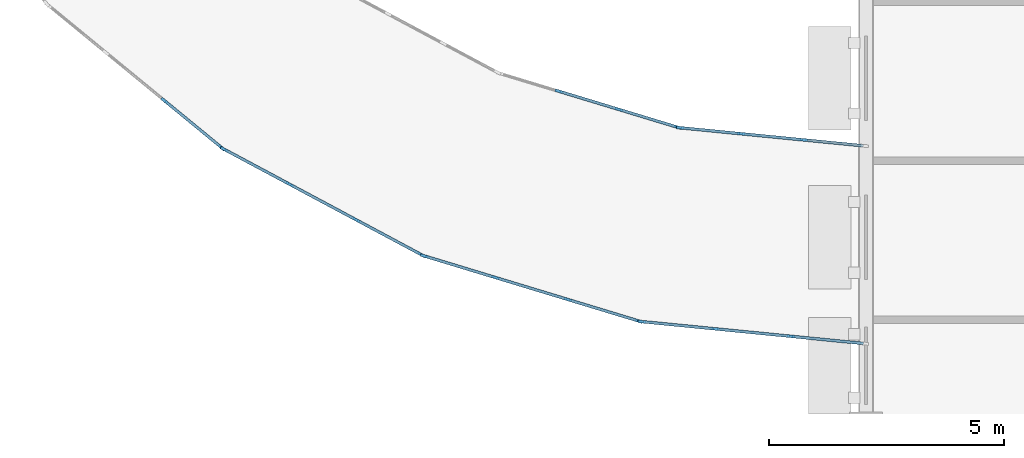
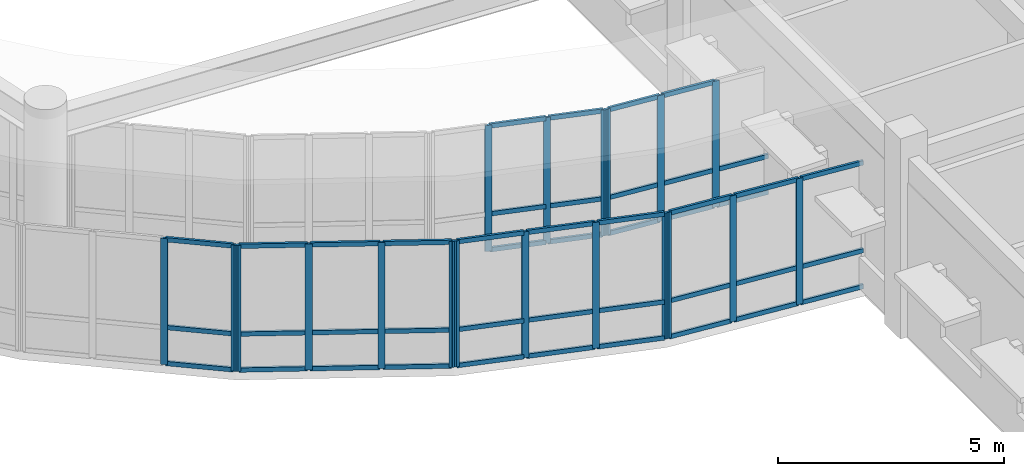
# One storey, part 29 of 68: 63 members, 6 elements without a shape of their own.
"""IFC4 building model written with IfcOpenShell, lengths in metres."""

from ifc_helpers import new_model, si_unit, direction, frame, origin, origin_2d, place, context, subcontext, project, spatial, rectangle, extrude, material, material_profile, profile_set, type_object, element, aggregate, save


model = new_model("IFC4")

# Units and contexts
model_context = context("Model", 3, precision=1e-05, world=origin(), true_north=direction((0.0, 1.0)))
body_context = subcontext(model_context, "Body", "Model", "MODEL_VIEW")
ifc_project = project(units=[si_unit("LENGTHUNIT", "METRE"), si_unit("AREAUNIT", "SQUARE_METRE"), si_unit("VOLUMEUNIT", "CUBIC_METRE"), si_unit("PLANEANGLEUNIT", "RADIAN"), si_unit("MASSUNIT", "GRAM", prefix="KILO")], contexts=[model_context])

# Site, building, storey
site_placement = place(None, origin())
site = spatial("IfcSite", under=ifc_project, at=site_placement, CompositionType="ELEMENT")
building_placement = place(site_placement, origin())
building = spatial("IfcBuilding", under=site, at=building_placement, Name="Veldera Park Congress Hotel", CompositionType="ELEMENT")
storey_placement = place(building_placement, frame((0.0, 0.0, 10.800048828125)))
storey = spatial("IfcBuildingStorey", under=building, at=storey_placement, Name="L02", CompositionType="ELEMENT", Elevation=10.800048828125)

# Curtain wall, members
ifc_material_1 = material(Name="Low-E Triple Insulating Glass Unit (SHGC 0.22)", Category="glass")
curtain_wall_type = type_object("IfcCurtainWallType", Name="CW-BRG", PredefinedType="NOTDEFINED", material=ifc_material_1)
curtain_wall_1_placement = place(storey_placement, origin())
curtain_wall_1 = element("IfcCurtainWall", 1, at=curtain_wall_1_placement, inside=storey, type_object=curtain_wall_type, Name="L02 Curtain Wall CW3-BRGE-L02-A04", PredefinedType="NOTDEFINED")
ifc_material_2 = material(Name="Anodised Aluminium Alloy 6063-T6", Category="aluminium")
ifc_material_profile_1 = material_profile(ifc_material_2, rectangle(XDim=0.06005859375, YDim=0.159912109375, at=origin_2d()), Name="ALU 60x160")
ifc_profile_set_1 = profile_set([ifc_material_profile_1], Name="Anodised Aluminium Alloy 6063-T6")
member_type_1 = type_object("IfcMemberType", Name="CWM-160", PredefinedType="MULLION", material=ifc_profile_set_1)
member_1_placement = place(storey_placement, frame((45.890380859375, -2.034423828125, 0.0), z_axis=(0.0, 0.0, 1.0), x_axis=(0.634402404183, 0.773002968666, 0.0)))
member_1 = element("IfcMember", 2, at=member_1_placement, type_object=member_type_1, Name="CW-BRG mullion 3", PredefinedType="MULLION", context=body_context, shape_type="SweptSolid", body=[
    extrude(rectangle(XDim=0.06005859375, YDim=0.159912109375, at=origin_2d()), origin(), (0.0, 0.0, 1.0), 3.39990234375),
])
member_2_placement = place(storey_placement, frame((47.10986328125, -3.03515625, 0.0), z_axis=(0.0, 0.0, 1.0), x_axis=(0.634402404183, 0.773002968666, 0.0)))
member_2 = element("IfcMember", 3, at=member_2_placement, type_object=member_type_1, Name="CW-BRG mullion 4", PredefinedType="MULLION", context=body_context, shape_type="SweptSolid", body=[
    extrude(rectangle(XDim=0.06005859375, YDim=0.159912109375, at=origin_2d()), origin(), (0.0, 0.0, 1.0), 3.39990234375),
])

curtain_wall_2_placement = place(storey_placement, origin())
curtain_wall_2 = element("IfcCurtainWall", 4, at=curtain_wall_2_placement, inside=storey, type_object=curtain_wall_type, Name="L02 Curtain Wall CW3-BRGE-L02-A05", PredefinedType="NOTDEFINED")
member_3_placement = place(storey_placement, frame((47.159423828125, -3.068359375, 0.0), z_axis=(0.0, 0.0, 1.0), x_axis=(0.471384501415, 0.881927804203, 0.0)))
member_3 = element("IfcMember", 5, at=member_3_placement, type_object=member_type_1, Name="CW-BRG mullion 1", PredefinedType="MULLION", context=body_context, shape_type="SweptSolid", body=[
    extrude(rectangle(XDim=0.06005859375, YDim=0.159912109375, at=origin_2d()), origin(), (0.0, 0.0, 1.0), 3.39990234375),
])
member_4_placement = place(storey_placement, frame((48.55078125, -3.81201171875, 0.0), z_axis=(0.0, 0.0, 1.0), x_axis=(0.471384501415, 0.881927804203, 0.0)))
member_4 = element("IfcMember", 6, at=member_4_placement, type_object=member_type_1, Name="CW-BRG mullion 2", PredefinedType="MULLION", context=body_context, shape_type="SweptSolid", body=[
    extrude(rectangle(XDim=0.06005859375, YDim=0.159912109375, at=origin_2d()), origin(), (0.0, 0.0, 1.0), 3.39990234375),
])
member_5_placement = place(storey_placement, frame((49.96826171875, -4.569580078125, 0.0), z_axis=(0.0, 0.0, 1.0), x_axis=(0.471384501415, 0.881927804203, 0.0)))
member_5 = element("IfcMember", 7, at=member_5_placement, type_object=member_type_1, Name="CW-BRG mullion 3", PredefinedType="MULLION", context=body_context, shape_type="SweptSolid", body=[
    extrude(rectangle(XDim=0.06005859375, YDim=0.159912109375, at=origin_2d()), origin(), (0.0, 0.0, 1.0), 3.39990234375),
])
member_6_placement = place(storey_placement, frame((51.359619140625, -5.313232421875, 0.0), z_axis=(0.0, 0.0, 1.0), x_axis=(0.471384501415, 0.881927804203, 0.0)))
member_6 = element("IfcMember", 8, at=member_6_placement, type_object=member_type_1, Name="CW-BRG mullion 4", PredefinedType="MULLION", context=body_context, shape_type="SweptSolid", body=[
    extrude(rectangle(XDim=0.06005859375, YDim=0.159912109375, at=origin_2d()), origin(), (0.0, 0.0, 1.0), 3.39990234375),
])

curtain_wall_3_placement = place(storey_placement, origin())
curtain_wall_3 = element("IfcCurtainWall", 9, at=curtain_wall_3_placement, inside=storey, type_object=curtain_wall_type, Name="L02 Curtain Wall CW3-BRGE-L02-A06", PredefinedType="NOTDEFINED")
member_7_placement = place(storey_placement, frame((51.414794921875, -5.336181640625, 0.0), z_axis=(0.0, 0.0, 1.0), x_axis=(0.290287663177, 0.956939429957, 0.0)))
member_7 = element("IfcMember", 10, at=member_7_placement, type_object=member_type_1, Name="CW-BRG mullion 1", PredefinedType="MULLION", context=body_context, shape_type="SweptSolid", body=[
    extrude(rectangle(XDim=0.06005859375, YDim=0.159912109375, at=origin_2d()), origin(), (0.0, 0.0, 1.0), 3.39990234375),
])
member_8_placement = place(storey_placement, frame((52.92431640625, -5.7939453125, 0.0), z_axis=(0.0, 0.0, 1.0), x_axis=(0.290287663177, 0.956939429957, 0.0)))
member_8 = element("IfcMember", 11, at=member_8_placement, type_object=member_type_1, Name="CW-BRG mullion 2", PredefinedType="MULLION", context=body_context, shape_type="SweptSolid", body=[
    extrude(rectangle(XDim=0.06005859375, YDim=0.159912109375, at=origin_2d()), origin(), (0.0, 0.0, 1.0), 3.39990234375),
])
member_9_placement = place(storey_placement, frame((54.462646484375, -6.2607421875, 0.0), z_axis=(0.0, 0.0, 1.0), x_axis=(0.290287663177, 0.956939429957, 0.0)))
member_9 = element("IfcMember", 12, at=member_9_placement, type_object=member_type_1, Name="CW-BRG mullion 3", PredefinedType="MULLION", context=body_context, shape_type="SweptSolid", body=[
    extrude(rectangle(XDim=0.06005859375, YDim=0.159912109375, at=origin_2d()), origin(), (0.0, 0.0, 1.0), 3.39990234375),
])
member_10_placement = place(storey_placement, frame((55.97216796875, -6.718505859375, 0.0), z_axis=(0.0, 0.0, 1.0), x_axis=(0.290287663177, 0.956939429957, 0.0)))
member_10 = element("IfcMember", 13, at=member_10_placement, type_object=member_type_1, Name="CW-BRG mullion 4", PredefinedType="MULLION", context=body_context, shape_type="SweptSolid", body=[
    extrude(rectangle(XDim=0.06005859375, YDim=0.159912109375, at=origin_2d()), origin(), (0.0, 0.0, 1.0), 3.39990234375),
])

curtain_wall_4_placement = place(storey_placement, origin())
curtain_wall_4 = element("IfcCurtainWall", 14, at=curtain_wall_4_placement, inside=storey, type_object=curtain_wall_type, Name="L02 Curtain Wall CW3-BRGE-L02-A07", PredefinedType="NOTDEFINED")
member_11_placement = place(storey_placement, frame((56.03076171875, -6.730224609375, 0.0), z_axis=(0.0, 0.0, 1.0), x_axis=(0.098021259481, 0.995184320963, 0.0)))
member_11 = element("IfcMember", 15, at=member_11_placement, type_object=member_type_1, Name="CW-BRG mullion 1", PredefinedType="MULLION", context=body_context, shape_type="SweptSolid", body=[
    extrude(rectangle(XDim=0.06005859375, YDim=0.159912109375, at=origin_2d()), origin(), (0.0, 0.0, 1.0), 3.39990234375),
])
member_12_placement = place(storey_placement, frame((57.6005859375, -6.884765625, 0.0), z_axis=(0.0, 0.0, 1.0), x_axis=(0.098021259481, 0.995184320963, 0.0)))
member_12 = element("IfcMember", 16, at=member_12_placement, type_object=member_type_1, Name="CW-BRG mullion 2", PredefinedType="MULLION", context=body_context, shape_type="SweptSolid", body=[
    extrude(rectangle(XDim=0.06005859375, YDim=0.159912109375, at=origin_2d()), origin(), (0.0, 0.0, 1.0), 3.39990234375),
])
member_13_placement = place(storey_placement, frame((59.2001953125, -7.04248046875, 0.0), z_axis=(0.0, 0.0, 1.0), x_axis=(0.098021259481, 0.995184320963, 0.0)))
member_13 = element("IfcMember", 17, at=member_13_placement, type_object=member_type_1, Name="CW-BRG mullion 3", PredefinedType="MULLION", context=body_context, shape_type="SweptSolid", body=[
    extrude(rectangle(XDim=0.06005859375, YDim=0.159912109375, at=origin_2d()), origin(), (0.0, 0.0, 1.0), 3.39990234375),
])

curtain_wall_5_placement = place(storey_placement, origin())
curtain_wall_5 = element("IfcCurtainWall", 18, at=curtain_wall_5_placement, inside=storey, type_object=curtain_wall_type, Name="L02 Curtain Wall CW3-BRGE-L02-B09", PredefinedType="NOTDEFINED")
member_14_placement = place(storey_placement, frame((59.473388671875, -2.869384765625, 0.0), z_axis=(0.0, 0.0, 1.0), x_axis=(-0.098023062513, -0.99518414337, 0.0)))
member_14 = element("IfcMember", 19, at=member_14_placement, type_object=member_type_1, Name="CW-BRG mullion 2", PredefinedType="MULLION", context=body_context, shape_type="SweptSolid", body=[
    extrude(rectangle(XDim=0.06005859375, YDim=0.159912109375, at=origin_2d()), origin(), (0.0, 0.0, 1.0), 3.39990234375),
])
member_15_placement = place(storey_placement, frame((58.146728515625, -2.73876953125, 0.0), z_axis=(0.0, 0.0, 1.0), x_axis=(-0.098023062513, -0.99518414337, 0.0)))
member_15 = element("IfcMember", 20, at=member_15_placement, type_object=member_type_1, Name="CW-BRG mullion 3", PredefinedType="MULLION", context=body_context, shape_type="SweptSolid", body=[
    extrude(rectangle(XDim=0.06005859375, YDim=0.159912109375, at=origin_2d()), origin(), (0.0, 0.0, 1.0), 3.39990234375),
])
member_16_placement = place(storey_placement, frame((56.85009765625, -2.61083984375, 0.0), z_axis=(0.0, 0.0, 1.0), x_axis=(-0.098023062513, -0.99518414337, 0.0)))
member_16 = element("IfcMember", 21, at=member_16_placement, type_object=member_type_1, Name="CW-BRG mullion 4", PredefinedType="MULLION", context=body_context, shape_type="SweptSolid", body=[
    extrude(rectangle(XDim=0.06005859375, YDim=0.159912109375, at=origin_2d()), origin(), (0.0, 0.0, 1.0), 3.39990234375),
])

curtain_wall_6_placement = place(storey_placement, origin())
curtain_wall_6 = element("IfcCurtainWall", 22, at=curtain_wall_6_placement, inside=storey, type_object=curtain_wall_type, Name="L02 Curtain Wall CW3-BRGE-L02-B10", PredefinedType="NOTDEFINED")
member_17_placement = place(storey_placement, frame((56.79150390625, -2.599365234375, 0.0), z_axis=(0.0, 0.0, 1.0), x_axis=(-0.290289846929, -0.956938767513, 0.0)))
member_17 = element("IfcMember", 23, at=member_17_placement, type_object=member_type_1, Name="CW-BRG mullion 1", PredefinedType="MULLION", context=body_context, shape_type="SweptSolid", body=[
    extrude(rectangle(XDim=0.06005859375, YDim=0.159912109375, at=origin_2d()), origin(), (0.0, 0.0, 1.0), 3.39990234375),
])
member_18_placement = place(storey_placement, frame((55.544677734375, -2.220947265625, 0.0), z_axis=(0.0, 0.0, 1.0), x_axis=(-0.290289846929, -0.956938767513, 0.0)))
member_18 = element("IfcMember", 24, at=member_18_placement, type_object=member_type_1, Name="CW-BRG mullion 2", PredefinedType="MULLION", context=body_context, shape_type="SweptSolid", body=[
    extrude(rectangle(XDim=0.06005859375, YDim=0.159912109375, at=origin_2d()), origin(), (0.0, 0.0, 1.0), 3.39990234375),
])
member_19_placement = place(storey_placement, frame((54.26904296875, -1.833984375, 0.0), z_axis=(0.0, 0.0, 1.0), x_axis=(-0.290289846929, -0.956938767513, 0.0)))
member_19 = element("IfcMember", 25, at=member_19_placement, type_object=member_type_1, Name="CW-BRG mullion 3", PredefinedType="MULLION", context=body_context, shape_type="SweptSolid", body=[
    extrude(rectangle(XDim=0.06005859375, YDim=0.159912109375, at=origin_2d()), origin(), (0.0, 0.0, 1.0), 3.39990234375),
])

# Member
ifc_material_profile_2 = material_profile(ifc_material_2, rectangle(XDim=0.06005859375, YDim=0.1201171875, at=origin_2d()), Name="ALU 60x120")
ifc_profile_set_2 = profile_set([ifc_material_profile_2], Name="Anodised Aluminium Alloy 6063-T6")
member_type_2 = type_object("IfcMemberType", Name="CWT-120", PredefinedType="USERDEFINED", material=ifc_profile_set_2)
member_20_placement = place(storey_placement, frame((45.91357421875, -2.053466796875, 0.030029296875), z_axis=(0.773038980381, -0.634358522298, 0.0), x_axis=(0.634358522298, 0.773038980381, 0.0)))
member_20 = element("IfcMember", 26, at=member_20_placement, type_object=member_type_2, Name="CW-BRG transom 3.1", ObjectType="TRANSOM", PredefinedType="USERDEFINED", context=body_context, shape_type="SweptSolid", body=[
    extrude(rectangle(XDim=0.06005859375, YDim=0.1201171875, at=origin_2d()), origin(), (0.0, 0.0, 1.0), 1.517578125),
])

member_21_placement = place(storey_placement, frame((45.91357421875, -2.053466796875, 1.0), z_axis=(0.773038980381, -0.634358522298, 0.0), x_axis=(0.634358522298, 0.773038980381, 0.0)))
member_21 = element("IfcMember", 27, at=member_21_placement, type_object=member_type_2, Name="CW-BRG transom 3.2", ObjectType="TRANSOM", PredefinedType="USERDEFINED", context=body_context, shape_type="SweptSolid", body=[
    extrude(rectangle(XDim=0.06005859375, YDim=0.1201171875, at=origin_2d()), origin(), (0.0, 0.0, 1.0), 1.517578125),
])

member_22_placement = place(storey_placement, frame((45.91357421875, -2.053466796875, 3.369873046875), z_axis=(0.773038980381, -0.634358522298, 0.0), x_axis=(0.634358522298, 0.773038980381, 0.0)))
member_22 = element("IfcMember", 28, at=member_22_placement, type_object=member_type_2, Name="CW-BRG transom 3.3", ObjectType="TRANSOM", PredefinedType="USERDEFINED", context=body_context, shape_type="SweptSolid", body=[
    extrude(rectangle(XDim=0.06005859375, YDim=0.1201171875, at=origin_2d()), origin(), (0.0, 0.0, 1.0), 1.517578125),
])

aggregate(curtain_wall_1, [member_1, member_2, member_20, member_21, member_22])

member_23_placement = place(storey_placement, frame((47.18603515625, -3.08251953125, 0.030029296875), z_axis=(0.881898221373, -0.471439844667, 0.0), x_axis=(0.471439844667, 0.881898221373, 0.0)))
member_23 = element("IfcMember", 29, at=member_23_placement, type_object=member_type_2, Name="CW-BRG transom 1.1", ObjectType="TRANSOM", PredefinedType="USERDEFINED", context=body_context, shape_type="SweptSolid", body=[
    extrude(rectangle(XDim=0.06005859375, YDim=0.1201171875, at=origin_2d()), origin(), (0.0, 0.0, 1.0), 1.517333984375),
])

member_24_placement = place(storey_placement, frame((47.18603515625, -3.08251953125, 1.0), z_axis=(0.881898221373, -0.471439844667, 0.0), x_axis=(0.471439844667, 0.881898221373, 0.0)))
member_24 = element("IfcMember", 30, at=member_24_placement, type_object=member_type_2, Name="CW-BRG transom 1.2", ObjectType="TRANSOM", PredefinedType="USERDEFINED", context=body_context, shape_type="SweptSolid", body=[
    extrude(rectangle(XDim=0.06005859375, YDim=0.1201171875, at=origin_2d()), origin(), (0.0, 0.0, 1.0), 1.517333984375),
])

member_25_placement = place(storey_placement, frame((47.18603515625, -3.08251953125, 3.369873046875), z_axis=(0.881898221373, -0.471439844667, 0.0), x_axis=(0.471439844667, 0.881898221373, 0.0)))
member_25 = element("IfcMember", 31, at=member_25_placement, type_object=member_type_2, Name="CW-BRG transom 1.3", ObjectType="TRANSOM", PredefinedType="USERDEFINED", context=body_context, shape_type="SweptSolid", body=[
    extrude(rectangle(XDim=0.06005859375, YDim=0.1201171875, at=origin_2d()), origin(), (0.0, 0.0, 1.0), 1.517333984375),
])

member_26_placement = place(storey_placement, frame((48.5771484375, -3.826171875, 0.030029296875), z_axis=(0.881981423245, -0.471284170167, 0.0), x_axis=(0.471284170167, 0.881981423245, 0.0)))
member_26 = element("IfcMember", 32, at=member_26_placement, type_object=member_type_2, Name="CW-BRG transom 2.1", ObjectType="TRANSOM", PredefinedType="USERDEFINED", context=body_context, shape_type="SweptSolid", body=[
    extrude(rectangle(XDim=0.06005859375, YDim=0.1201171875, at=origin_2d()), origin(), (0.0, 0.0, 1.0), 1.54736328125),
])

member_27_placement = place(storey_placement, frame((48.5771484375, -3.826171875, 1.0), z_axis=(0.881981423245, -0.471284170167, 0.0), x_axis=(0.471284170167, 0.881981423245, 0.0)))
member_27 = element("IfcMember", 33, at=member_27_placement, type_object=member_type_2, Name="CW-BRG transom 2.2", ObjectType="TRANSOM", PredefinedType="USERDEFINED", context=body_context, shape_type="SweptSolid", body=[
    extrude(rectangle(XDim=0.06005859375, YDim=0.1201171875, at=origin_2d()), origin(), (0.0, 0.0, 1.0), 1.54736328125),
])

member_28_placement = place(storey_placement, frame((48.5771484375, -3.826171875, 3.369873046875), z_axis=(0.881981423245, -0.471284170167, 0.0), x_axis=(0.471284170167, 0.881981423245, 0.0)))
member_28 = element("IfcMember", 34, at=member_28_placement, type_object=member_type_2, Name="CW-BRG transom 2.3", ObjectType="TRANSOM", PredefinedType="USERDEFINED", context=body_context, shape_type="SweptSolid", body=[
    extrude(rectangle(XDim=0.06005859375, YDim=0.1201171875, at=origin_2d()), origin(), (0.0, 0.0, 1.0), 1.54736328125),
])

member_29_placement = place(storey_placement, frame((49.994873046875, -4.583740234375, 0.030029296875), z_axis=(0.881898221373, -0.471439844667, 0.0), x_axis=(0.471439844667, 0.881898221373, 0.0)))
member_29 = element("IfcMember", 35, at=member_29_placement, type_object=member_type_2, Name="CW-BRG transom 3.1", ObjectType="TRANSOM", PredefinedType="USERDEFINED", context=body_context, shape_type="SweptSolid", body=[
    extrude(rectangle(XDim=0.06005859375, YDim=0.1201171875, at=origin_2d()), origin(), (0.0, 0.0, 1.0), 1.517333984375),
])

member_30_placement = place(storey_placement, frame((49.994873046875, -4.583740234375, 1.0), z_axis=(0.881898221373, -0.471439844667, 0.0), x_axis=(0.471439844667, 0.881898221373, 0.0)))
member_30 = element("IfcMember", 36, at=member_30_placement, type_object=member_type_2, Name="CW-BRG transom 3.2", ObjectType="TRANSOM", PredefinedType="USERDEFINED", context=body_context, shape_type="SweptSolid", body=[
    extrude(rectangle(XDim=0.06005859375, YDim=0.1201171875, at=origin_2d()), origin(), (0.0, 0.0, 1.0), 1.517333984375),
])

member_31_placement = place(storey_placement, frame((49.994873046875, -4.583740234375, 3.369873046875), z_axis=(0.881898221373, -0.471439844667, 0.0), x_axis=(0.471439844667, 0.881898221373, 0.0)))
member_31 = element("IfcMember", 37, at=member_31_placement, type_object=member_type_2, Name="CW-BRG transom 3.3", ObjectType="TRANSOM", PredefinedType="USERDEFINED", context=body_context, shape_type="SweptSolid", body=[
    extrude(rectangle(XDim=0.06005859375, YDim=0.1201171875, at=origin_2d()), origin(), (0.0, 0.0, 1.0), 1.517333984375),
])

aggregate(curtain_wall_2, [member_3, member_4, member_5, member_6, member_23, member_24, member_25, member_26, member_27, member_28, member_29, member_30, member_31])

member_32_placement = place(storey_placement, frame((51.443359375, -5.3447265625, 0.030029296875), z_axis=(0.956909318834, -0.290386906607, 0.0), x_axis=(0.290386906607, 0.956909318834, 0.0)))
member_32 = element("IfcMember", 38, at=member_32_placement, type_object=member_type_2, Name="CW-BRG transom 1.1", ObjectType="TRANSOM", PredefinedType="USERDEFINED", context=body_context, shape_type="SweptSolid", body=[
    extrude(rectangle(XDim=0.06005859375, YDim=0.1201171875, at=origin_2d()), origin(), (0.0, 0.0, 1.0), 1.517578125),
])

member_33_placement = place(storey_placement, frame((51.443359375, -5.3447265625, 1.0), z_axis=(0.956909318834, -0.290386906607, 0.0), x_axis=(0.290386906607, 0.956909318834, 0.0)))
member_33 = element("IfcMember", 39, at=member_33_placement, type_object=member_type_2, Name="CW-BRG transom 1.2", ObjectType="TRANSOM", PredefinedType="USERDEFINED", context=body_context, shape_type="SweptSolid", body=[
    extrude(rectangle(XDim=0.06005859375, YDim=0.1201171875, at=origin_2d()), origin(), (0.0, 0.0, 1.0), 1.517578125),
])

member_34_placement = place(storey_placement, frame((51.443359375, -5.3447265625, 3.369873046875), z_axis=(0.956909318834, -0.290386906607, 0.0), x_axis=(0.290386906607, 0.956909318834, 0.0)))
member_34 = element("IfcMember", 40, at=member_34_placement, type_object=member_type_2, Name="CW-BRG transom 1.3", ObjectType="TRANSOM", PredefinedType="USERDEFINED", context=body_context, shape_type="SweptSolid", body=[
    extrude(rectangle(XDim=0.06005859375, YDim=0.1201171875, at=origin_2d()), origin(), (0.0, 0.0, 1.0), 1.517578125),
])

member_35_placement = place(storey_placement, frame((52.952880859375, -5.802734375, 0.030029296875), z_axis=(0.9569447609, -0.29027008903, 0.0), x_axis=(0.29027008903, 0.9569447609, 0.0)))
member_35 = element("IfcMember", 41, at=member_35_placement, type_object=member_type_2, Name="CW-BRG transom 2.1", ObjectType="TRANSOM", PredefinedType="USERDEFINED", context=body_context, shape_type="SweptSolid", body=[
    extrude(rectangle(XDim=0.06005859375, YDim=0.1201171875, at=origin_2d()), origin(), (0.0, 0.0, 1.0), 1.547607421875),
])

member_36_placement = place(storey_placement, frame((52.952880859375, -5.802734375, 1.0), z_axis=(0.9569447609, -0.29027008903, 0.0), x_axis=(0.29027008903, 0.9569447609, 0.0)))
member_36 = element("IfcMember", 42, at=member_36_placement, type_object=member_type_2, Name="CW-BRG transom 2.2", ObjectType="TRANSOM", PredefinedType="USERDEFINED", context=body_context, shape_type="SweptSolid", body=[
    extrude(rectangle(XDim=0.06005859375, YDim=0.1201171875, at=origin_2d()), origin(), (0.0, 0.0, 1.0), 1.547607421875),
])

member_37_placement = place(storey_placement, frame((52.952880859375, -5.802734375, 3.369873046875), z_axis=(0.9569447609, -0.29027008903, 0.0), x_axis=(0.29027008903, 0.9569447609, 0.0)))
member_37 = element("IfcMember", 43, at=member_37_placement, type_object=member_type_2, Name="CW-BRG transom 2.3", ObjectType="TRANSOM", PredefinedType="USERDEFINED", context=body_context, shape_type="SweptSolid", body=[
    extrude(rectangle(XDim=0.06005859375, YDim=0.1201171875, at=origin_2d()), origin(), (0.0, 0.0, 1.0), 1.547607421875),
])

member_38_placement = place(storey_placement, frame((54.4912109375, -6.269287109375, 0.030029296875), z_axis=(0.956909318834, -0.290386906607, 0.0), x_axis=(0.290386906607, 0.956909318834, 0.0)))
member_38 = element("IfcMember", 44, at=member_38_placement, type_object=member_type_2, Name="CW-BRG transom 3.1", ObjectType="TRANSOM", PredefinedType="USERDEFINED", context=body_context, shape_type="SweptSolid", body=[
    extrude(rectangle(XDim=0.06005859375, YDim=0.1201171875, at=origin_2d()), origin(), (0.0, 0.0, 1.0), 1.517578125),
])

member_39_placement = place(storey_placement, frame((54.4912109375, -6.269287109375, 1.0), z_axis=(0.956909318834, -0.290386906607, 0.0), x_axis=(0.290386906607, 0.956909318834, 0.0)))
member_39 = element("IfcMember", 45, at=member_39_placement, type_object=member_type_2, Name="CW-BRG transom 3.2", ObjectType="TRANSOM", PredefinedType="USERDEFINED", context=body_context, shape_type="SweptSolid", body=[
    extrude(rectangle(XDim=0.06005859375, YDim=0.1201171875, at=origin_2d()), origin(), (0.0, 0.0, 1.0), 1.517578125),
])

member_40_placement = place(storey_placement, frame((54.4912109375, -6.269287109375, 3.369873046875), z_axis=(0.956909318834, -0.290386906607, 0.0), x_axis=(0.290386906607, 0.956909318834, 0.0)))
member_40 = element("IfcMember", 46, at=member_40_placement, type_object=member_type_2, Name="CW-BRG transom 3.3", ObjectType="TRANSOM", PredefinedType="USERDEFINED", context=body_context, shape_type="SweptSolid", body=[
    extrude(rectangle(XDim=0.06005859375, YDim=0.1201171875, at=origin_2d()), origin(), (0.0, 0.0, 1.0), 1.517578125),
])

aggregate(curtain_wall_3, [member_7, member_8, member_9, member_10, member_32, member_33, member_34, member_35, member_36, member_37, member_38, member_39, member_40])

member_41_placement = place(storey_placement, frame((56.060546875, -6.733154296875, 0.030029296875), z_axis=(0.995187383996, -0.097990156322, 0.0), x_axis=(0.097990156322, 0.995187383996, 0.0)))
member_41 = element("IfcMember", 47, at=member_41_placement, type_object=member_type_2, Name="CW-BRG transom 1.1", ObjectType="TRANSOM", PredefinedType="USERDEFINED", context=body_context, shape_type="SweptSolid", body=[
    extrude(rectangle(XDim=0.06005859375, YDim=0.1201171875, at=origin_2d()), origin(), (0.0, 0.0, 1.0), 1.517333984375),
])

member_42_placement = place(storey_placement, frame((56.060546875, -6.733154296875, 1.0), z_axis=(0.995187383996, -0.097990156322, 0.0), x_axis=(0.097990156322, 0.995187383996, 0.0)))
member_42 = element("IfcMember", 48, at=member_42_placement, type_object=member_type_2, Name="CW-BRG transom 1.2", ObjectType="TRANSOM", PredefinedType="USERDEFINED", context=body_context, shape_type="SweptSolid", body=[
    extrude(rectangle(XDim=0.06005859375, YDim=0.1201171875, at=origin_2d()), origin(), (0.0, 0.0, 1.0), 1.517333984375),
])

member_43_placement = place(storey_placement, frame((56.060546875, -6.733154296875, 3.369873046875), z_axis=(0.995187383996, -0.097990156322, 0.0), x_axis=(0.097990156322, 0.995187383996, 0.0)))
member_43 = element("IfcMember", 49, at=member_43_placement, type_object=member_type_2, Name="CW-BRG transom 1.3", ObjectType="TRANSOM", PredefinedType="USERDEFINED", context=body_context, shape_type="SweptSolid", body=[
    extrude(rectangle(XDim=0.06005859375, YDim=0.1201171875, at=origin_2d()), origin(), (0.0, 0.0, 1.0), 1.517333984375),
])

member_44_placement = place(storey_placement, frame((57.63037109375, -6.8876953125, 0.030029296875), z_axis=(0.995173698289, -0.09812904888, 0.0), x_axis=(0.09812904888, 0.995173698289, 0.0)))
member_44 = element("IfcMember", 50, at=member_44_placement, type_object=member_type_2, Name="CW-BRG transom 2.1", ObjectType="TRANSOM", PredefinedType="USERDEFINED", context=body_context, shape_type="SweptSolid", body=[
    extrude(rectangle(XDim=0.06005859375, YDim=0.1201171875, at=origin_2d()), origin(), (0.0, 0.0, 1.0), 1.547607421875),
])

member_45_placement = place(storey_placement, frame((57.63037109375, -6.8876953125, 1.0), z_axis=(0.995173698289, -0.09812904888, 0.0), x_axis=(0.09812904888, 0.995173698289, 0.0)))
member_45 = element("IfcMember", 51, at=member_45_placement, type_object=member_type_2, Name="CW-BRG transom 2.2", ObjectType="TRANSOM", PredefinedType="USERDEFINED", context=body_context, shape_type="SweptSolid", body=[
    extrude(rectangle(XDim=0.06005859375, YDim=0.1201171875, at=origin_2d()), origin(), (0.0, 0.0, 1.0), 1.547607421875),
])

member_46_placement = place(storey_placement, frame((57.63037109375, -6.8876953125, 3.369873046875), z_axis=(0.995173698289, -0.09812904888, 0.0), x_axis=(0.09812904888, 0.995173698289, 0.0)))
member_46 = element("IfcMember", 52, at=member_46_placement, type_object=member_type_2, Name="CW-BRG transom 2.3", ObjectType="TRANSOM", PredefinedType="USERDEFINED", context=body_context, shape_type="SweptSolid", body=[
    extrude(rectangle(XDim=0.06005859375, YDim=0.1201171875, at=origin_2d()), origin(), (0.0, 0.0, 1.0), 1.547607421875),
])

member_47_placement = place(storey_placement, frame((59.230224609375, -7.04541015625, 0.030029296875), z_axis=(0.995187383996, -0.097990156322, 0.0), x_axis=(0.097990156322, 0.995187383996, 0.0)))
member_47 = element("IfcMember", 53, at=member_47_placement, type_object=member_type_2, Name="CW-BRG transom 3.1", ObjectType="TRANSOM", PredefinedType="USERDEFINED", context=body_context, shape_type="SweptSolid", body=[
    extrude(rectangle(XDim=0.06005859375, YDim=0.1201171875, at=origin_2d()), origin(), (0.0, 0.0, 1.0), 1.517333984375),
])

member_48_placement = place(storey_placement, frame((59.230224609375, -7.04541015625, 1.0), z_axis=(0.995187383996, -0.097990156322, 0.0), x_axis=(0.097990156322, 0.995187383996, 0.0)))
member_48 = element("IfcMember", 54, at=member_48_placement, type_object=member_type_2, Name="CW-BRG transom 3.2", ObjectType="TRANSOM", PredefinedType="USERDEFINED", context=body_context, shape_type="SweptSolid", body=[
    extrude(rectangle(XDim=0.06005859375, YDim=0.1201171875, at=origin_2d()), origin(), (0.0, 0.0, 1.0), 1.517333984375),
])

member_49_placement = place(storey_placement, frame((59.230224609375, -7.04541015625, 3.369873046875), z_axis=(0.995187383996, -0.097990156322, 0.0), x_axis=(0.097990156322, 0.995187383996, 0.0)))
member_49 = element("IfcMember", 55, at=member_49_placement, type_object=member_type_2, Name="CW-BRG transom 3.3", ObjectType="TRANSOM", PredefinedType="USERDEFINED", context=body_context, shape_type="SweptSolid", body=[
    extrude(rectangle(XDim=0.06005859375, YDim=0.1201171875, at=origin_2d()), origin(), (0.0, 0.0, 1.0), 1.517333984375),
])

aggregate(curtain_wall_4, [member_11, member_12, member_13, member_41, member_42, member_43, member_44, member_45, member_46, member_47, member_48, member_49])

member_50_placement = place(storey_placement, frame((60.740234375, -2.994140625, 0.030029296875), z_axis=(-0.995185798349, 0.098006258807, 0.0), x_axis=(-0.098006258807, -0.995185798349, 0.0)))
member_50 = element("IfcMember", 56, at=member_50_placement, type_object=member_type_2, Name="CW-BRG transom 1.1", ObjectType="TRANSOM", PredefinedType="USERDEFINED", context=body_context, shape_type="SweptSolid", body=[
    extrude(rectangle(XDim=0.06005859375, YDim=0.1201171875, at=origin_2d()), origin(), (0.0, 0.0, 1.0), 1.2431640625),
])

member_51_placement = place(storey_placement, frame((60.740234375, -2.994140625, 1.0), z_axis=(-0.995185798349, 0.098006258807, 0.0), x_axis=(-0.098006258807, -0.995185798349, 0.0)))
member_51 = element("IfcMember", 57, at=member_51_placement, type_object=member_type_2, Name="CW-BRG transom 1.2", ObjectType="TRANSOM", PredefinedType="USERDEFINED", context=body_context, shape_type="SweptSolid", body=[
    extrude(rectangle(XDim=0.06005859375, YDim=0.1201171875, at=origin_2d()), origin(), (0.0, 0.0, 1.0), 1.2431640625),
])

member_52_placement = place(storey_placement, frame((59.443603515625, -2.866455078125, 0.030029296875), z_axis=(-0.995186071531, 0.098003484786, 0.0), x_axis=(-0.098003484786, -0.995186071531, 0.0)))
member_52 = element("IfcMember", 58, at=member_52_placement, type_object=member_type_2, Name="CW-BRG transom 2.1", ObjectType="TRANSOM", PredefinedType="USERDEFINED", context=body_context, shape_type="SweptSolid", body=[
    extrude(rectangle(XDim=0.06005859375, YDim=0.1201171875, at=origin_2d()), origin(), (0.0, 0.0, 1.0), 1.27294921875),
])

member_53_placement = place(storey_placement, frame((59.443603515625, -2.866455078125, 1.0), z_axis=(-0.995186071531, 0.098003484786, 0.0), x_axis=(-0.098003484786, -0.995186071531, 0.0)))
member_53 = element("IfcMember", 59, at=member_53_placement, type_object=member_type_2, Name="CW-BRG transom 2.2", ObjectType="TRANSOM", PredefinedType="USERDEFINED", context=body_context, shape_type="SweptSolid", body=[
    extrude(rectangle(XDim=0.06005859375, YDim=0.1201171875, at=origin_2d()), origin(), (0.0, 0.0, 1.0), 1.27294921875),
])

member_54_placement = place(storey_placement, frame((59.443603515625, -2.866455078125, 3.369873046875), z_axis=(-0.995186071531, 0.098003484786, 0.0), x_axis=(-0.098003484786, -0.995186071531, 0.0)))
member_54 = element("IfcMember", 60, at=member_54_placement, type_object=member_type_2, Name="CW-BRG transom 2.3", ObjectType="TRANSOM", PredefinedType="USERDEFINED", context=body_context, shape_type="SweptSolid", body=[
    extrude(rectangle(XDim=0.06005859375, YDim=0.1201171875, at=origin_2d()), origin(), (0.0, 0.0, 1.0), 1.27294921875),
])

member_55_placement = place(storey_placement, frame((58.116943359375, -2.73583984375, 0.030029296875), z_axis=(-0.995166623425, 0.098200771998, 0.0), x_axis=(-0.098200771998, -0.995166623425, 0.0)))
member_55 = element("IfcMember", 61, at=member_55_placement, type_object=member_type_2, Name="CW-BRG transom 3.1", ObjectType="TRANSOM", PredefinedType="USERDEFINED", context=body_context, shape_type="SweptSolid", body=[
    extrude(rectangle(XDim=0.06005859375, YDim=0.1201171875, at=origin_2d()), origin(), (0.0, 0.0, 1.0), 1.2431640625),
])

member_56_placement = place(storey_placement, frame((58.116943359375, -2.73583984375, 1.0), z_axis=(-0.995166623425, 0.098200771998, 0.0), x_axis=(-0.098200771998, -0.995166623425, 0.0)))
member_56 = element("IfcMember", 62, at=member_56_placement, type_object=member_type_2, Name="CW-BRG transom 3.2", ObjectType="TRANSOM", PredefinedType="USERDEFINED", context=body_context, shape_type="SweptSolid", body=[
    extrude(rectangle(XDim=0.06005859375, YDim=0.1201171875, at=origin_2d()), origin(), (0.0, 0.0, 1.0), 1.2431640625),
])

member_57_placement = place(storey_placement, frame((58.116943359375, -2.73583984375, 3.369873046875), z_axis=(-0.995166623425, 0.098200771998, 0.0), x_axis=(-0.098200771998, -0.995166623425, 0.0)))
member_57 = element("IfcMember", 63, at=member_57_placement, type_object=member_type_2, Name="CW-BRG transom 3.3", ObjectType="TRANSOM", PredefinedType="USERDEFINED", context=body_context, shape_type="SweptSolid", body=[
    extrude(rectangle(XDim=0.06005859375, YDim=0.1201171875, at=origin_2d()), origin(), (0.0, 0.0, 1.0), 1.2431640625),
])

aggregate(curtain_wall_5, [member_14, member_15, member_16, member_50, member_51, member_52, member_53, member_54, member_55, member_56, member_57])

member_58_placement = place(storey_placement, frame((56.7626953125, -2.590576171875, 0.030029296875), z_axis=(-0.956935154583, 0.290301756665, 0.0), x_axis=(-0.290301756665, -0.956935154583, 0.0)))
member_58 = element("IfcMember", 64, at=member_58_placement, type_object=member_type_2, Name="CW-BRG transom 1.1", ObjectType="TRANSOM", PredefinedType="USERDEFINED", context=body_context, shape_type="SweptSolid", body=[
    extrude(rectangle(XDim=0.06005859375, YDim=0.1201171875, at=origin_2d()), origin(), (0.0, 0.0, 1.0), 1.242919921875),
])

member_59_placement = place(storey_placement, frame((56.7626953125, -2.590576171875, 1.0), z_axis=(-0.956935154583, 0.290301756665, 0.0), x_axis=(-0.290301756665, -0.956935154583, 0.0)))
member_59 = element("IfcMember", 65, at=member_59_placement, type_object=member_type_2, Name="CW-BRG transom 1.2", ObjectType="TRANSOM", PredefinedType="USERDEFINED", context=body_context, shape_type="SweptSolid", body=[
    extrude(rectangle(XDim=0.06005859375, YDim=0.1201171875, at=origin_2d()), origin(), (0.0, 0.0, 1.0), 1.242919921875),
])

member_60_placement = place(storey_placement, frame((56.7626953125, -2.590576171875, 3.369873046875), z_axis=(-0.956935154583, 0.290301756665, 0.0), x_axis=(-0.290301756665, -0.956935154583, 0.0)))
member_60 = element("IfcMember", 66, at=member_60_placement, type_object=member_type_2, Name="CW-BRG transom 1.3", ObjectType="TRANSOM", PredefinedType="USERDEFINED", context=body_context, shape_type="SweptSolid", body=[
    extrude(rectangle(XDim=0.06005859375, YDim=0.1201171875, at=origin_2d()), origin(), (0.0, 0.0, 1.0), 1.242919921875),
])

member_61_placement = place(storey_placement, frame((55.515869140625, -2.21240234375, 0.030029296875), z_axis=(-0.956924350559, 0.290337368086, 0.0), x_axis=(-0.290337368086, -0.956924350559, 0.0)))
member_61 = element("IfcMember", 67, at=member_61_placement, type_object=member_type_2, Name="CW-BRG transom 2.1", ObjectType="TRANSOM", PredefinedType="USERDEFINED", context=body_context, shape_type="SweptSolid", body=[
    extrude(rectangle(XDim=0.06005859375, YDim=0.1201171875, at=origin_2d()), origin(), (0.0, 0.0, 1.0), 1.273193359375),
])

member_62_placement = place(storey_placement, frame((55.515869140625, -2.21240234375, 1.0), z_axis=(-0.956924350559, 0.290337368086, 0.0), x_axis=(-0.290337368086, -0.956924350559, 0.0)))
member_62 = element("IfcMember", 68, at=member_62_placement, type_object=member_type_2, Name="CW-BRG transom 2.2", ObjectType="TRANSOM", PredefinedType="USERDEFINED", context=body_context, shape_type="SweptSolid", body=[
    extrude(rectangle(XDim=0.06005859375, YDim=0.1201171875, at=origin_2d()), origin(), (0.0, 0.0, 1.0), 1.273193359375),
])

member_63_placement = place(storey_placement, frame((55.515869140625, -2.21240234375, 3.369873046875), z_axis=(-0.956924350559, 0.290337368086, 0.0), x_axis=(-0.290337368086, -0.956924350559, 0.0)))
member_63 = element("IfcMember", 69, at=member_63_placement, type_object=member_type_2, Name="CW-BRG transom 2.3", ObjectType="TRANSOM", PredefinedType="USERDEFINED", context=body_context, shape_type="SweptSolid", body=[
    extrude(rectangle(XDim=0.06005859375, YDim=0.1201171875, at=origin_2d()), origin(), (0.0, 0.0, 1.0), 1.273193359375),
])

aggregate(curtain_wall_6, [member_17, member_18, member_19, member_58, member_59, member_60, member_61, member_62, member_63])

save(model, "model.ifc")
